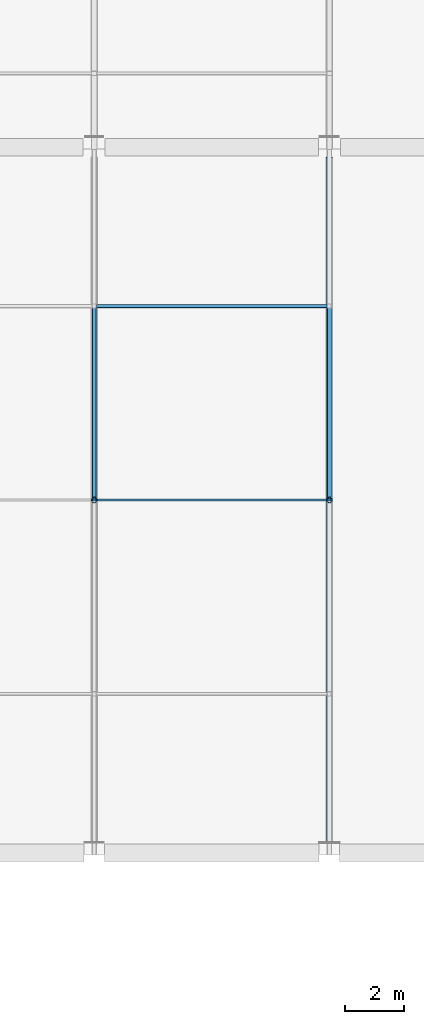
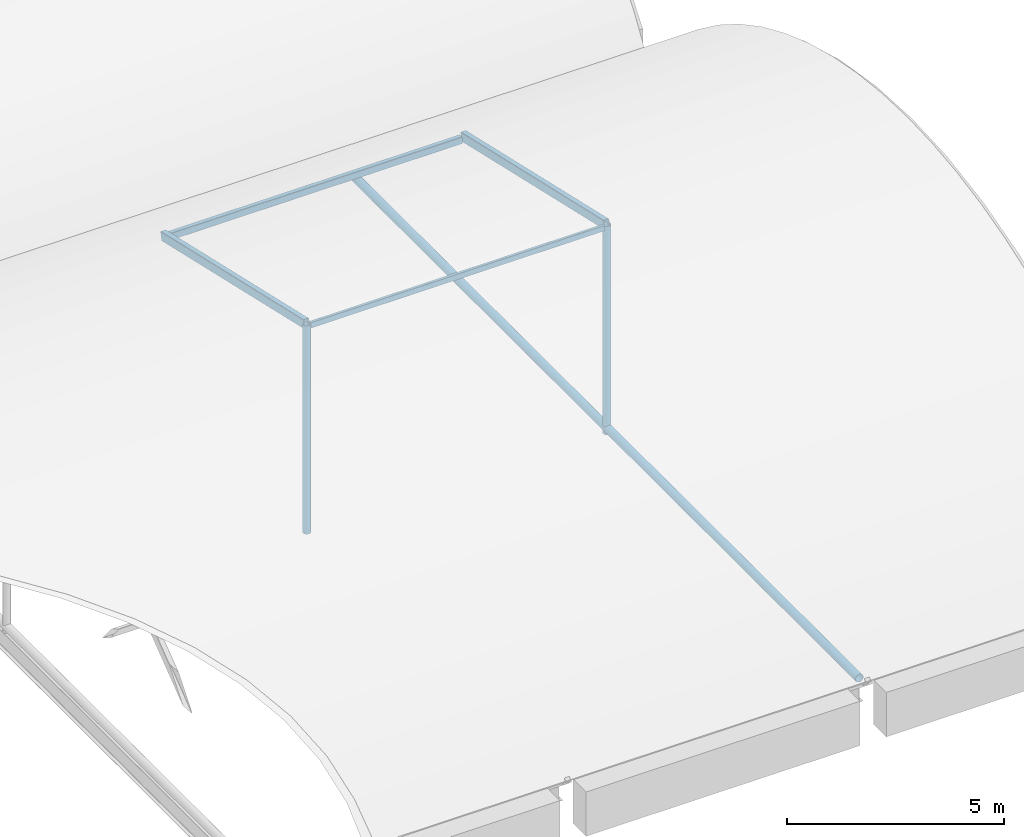
# One storey, part 34 of 57: 7 members.
"""IFC4 building model written with IfcOpenShell, lengths in metres."""

from ifc_helpers import new_model, si_unit, direction, frame, origin, origin_2d, place, context, subcontext, project, spatial, hollow_rectangle, hollow_circle, extrude, material, material_profile, profile_set, type_object, element, save


model = new_model("IFC4")

# Units and contexts
model_context = context("Model", 3, precision=1e-05, world=origin(), true_north=direction((0.0, 1.0)))
body_context = subcontext(model_context, "Body", "Model", "MODEL_VIEW")
ifc_project = project(units=[si_unit("LENGTHUNIT", "METRE"), si_unit("AREAUNIT", "SQUARE_METRE"), si_unit("VOLUMEUNIT", "CUBIC_METRE"), si_unit("PLANEANGLEUNIT", "RADIAN"), si_unit("MASSUNIT", "GRAM", prefix="KILO"), si_unit("THERMODYNAMICTEMPERATUREUNIT", "KELVIN"), si_unit("POWERUNIT", "WATT")], contexts=[model_context])

# Site, building, storey
site_placement = place(None, origin())
site = spatial("IfcSite", under=ifc_project, at=site_placement, CompositionType="ELEMENT")
building_placement = place(site_placement, origin())
building = spatial("IfcBuilding", under=site, at=building_placement, Name="Kronsvod Quay Wholesale Market", CompositionType="ELEMENT")
storey_placement = place(building_placement, frame((0.0, 0.0, 13.199951171875)))
storey = spatial("IfcBuildingStorey", under=building, at=storey_placement, Name="L03", CompositionType="ELEMENT", Elevation=13.199951171875)

# Members
ifc_material_1 = material(Name="Steel S355", Category="steel")
ifc_material_profile_1 = material_profile(ifc_material_1, hollow_rectangle(XDim=0.14990234375, YDim=0.25, WallThickness=0.010009765625, InnerFilletRadius=0.010009765625, OuterFilletRadius=0.02001953125, at=origin_2d()), Name="RHS250x150x10")
ifc_profile_set_1 = profile_set([ifc_material_profile_1], Name="Steel S355")
member_type_1 = type_object("IfcMemberType", Name="Member_Arch250x150", PredefinedType="RAFTER", material=ifc_profile_set_1)
for number, where, z_axis, x_axis, name in (
    (1, (176.0, 66.0, 5.64013671875), (0.0, 0.974763902227, -0.223238291777), (-1.0, 0.0, 0.0), "ARCG-SH-V2E-M-1760-2"),
    (2, (184.0, 66.0, 5.64013671875), (0.0, 0.974763902227, -0.223238291777), (-1.0, 0.0, 0.0), "ARCG-SH-V2E-M-1840-2"),
):
    element("IfcMember", number, at=place(storey_placement, frame(where, z_axis=z_axis, x_axis=x_axis)), inside=storey, type_object=member_type_1, Name=name, PredefinedType="RAFTER", context=body_context, shape_type="SweptSolid", body=[
        extrude(hollow_rectangle(XDim=0.14990234375, YDim=0.25, WallThickness=0.010009765625, InnerFilletRadius=0.010009765625, OuterFilletRadius=0.02001953125, at=origin_2d()), origin(), (0.0, 0.0, 1.0), 6.76513671875),
    ])
ifc_material_2 = material(Name="Steel S355", Category="steel")
ifc_material_profile_2 = material_profile(ifc_material_2, hollow_circle(Radius=0.096923828125, WallThickness=0.008056640625, at=origin_2d()), Name="CHS194x8")
ifc_profile_set_2 = profile_set([ifc_material_profile_2], Name="Steel S355")
member_type_2 = type_object("IfcMemberType", Name="Member_Brace194x8", PredefinedType="BRACE", material=ifc_profile_set_2)
for number, where, z_axis, x_axis, name in (
    (3, (176.0, 66.0, -0.22998046875), (0.0, 0.0, 1.0), (1.0, 0.0, 0.0), "KPST-SH-V2E-M-1760"),
    (4, (184.0, 66.0, -0.22998046875), (0.0, 0.0, 1.0), (1.0, 0.0, 0.0), "KPST-SH-V2E-M-1840"),
):
    element("IfcMember", number, at=place(storey_placement, frame(where, z_axis=z_axis, x_axis=x_axis)), inside=storey, type_object=member_type_2, Name=name, PredefinedType="BRACE", context=body_context, shape_type="SweptSolid", body=[
        extrude(hollow_circle(Radius=0.096923828125, WallThickness=0.008056640625, at=origin_2d()), origin(), (0.0, 0.0, 1.0), 5.8701171875),
    ])
ifc_material_3 = material(Name="Steel S355", Category="steel")
ifc_material_profile_3 = material_profile(ifc_material_3, hollow_circle(Radius=0.109619140625, WallThickness=0.010009765625, at=origin_2d()), Name="CHS219x10")
ifc_profile_set_3 = profile_set([ifc_material_profile_3], Name="Steel S355")
member_type_3 = type_object("IfcMemberType", Name="Member_Chord219x10", PredefinedType="CHORD", material=ifc_profile_set_3)
member_1_placement = place(storey_placement, frame((184.0, 54.340087890625, -0.079833984375), z_axis=(0.0, 1.0, 0.0), x_axis=(-1.0, 0.0, 0.0)))
element("IfcMember", 5, at=member_1_placement, inside=storey, type_object=member_type_3, Name="CHDG-SH-V2E-M-1840", PredefinedType="CHORD", context=body_context, shape_type="SweptSolid", body=[
    extrude(hollow_circle(Radius=0.109619140625, WallThickness=0.010009765625, at=origin_2d()), origin(), (0.0, 0.0, 1.0), 23.31982421875),
])
ifc_material_4 = material(Name="Steel S355", Category="steel")
ifc_material_profile_4 = material_profile(ifc_material_4, hollow_rectangle(XDim=0.1201171875, YDim=0.199951171875, WallThickness=0.008056640625, InnerFilletRadius=0.008056640625, OuterFilletRadius=0.01611328125, at=origin_2d()), Name="RHS200x120x8")
ifc_profile_set_4 = profile_set([ifc_material_profile_4], Name="Steel S355")
member_type_4 = type_object("IfcMemberType", Name="Member_Girt200x120", PredefinedType="PURLIN", material=ifc_profile_set_4)
member_2_placement = place(storey_placement, frame((176.080078125, 72.594482421875, 4.070068359375), z_axis=(1.0, 0.0, 0.0), x_axis=(0.0, 1.0, 0.0)))
element("IfcMember", 6, at=member_2_placement, inside=storey, type_object=member_type_4, Name="PRLG-SH-V2E-M-5-2", PredefinedType="PURLIN", context=body_context, shape_type="SweptSolid", body=[
    extrude(hollow_rectangle(XDim=0.1201171875, YDim=0.199951171875, WallThickness=0.008056640625, InnerFilletRadius=0.008056640625, OuterFilletRadius=0.01611328125, at=origin_2d()), origin(), (0.0, 0.0, 1.0), 7.83984375),
])
ifc_material_5 = material(Name="Steel S355", Category="steel")
ifc_material_profile_5 = material_profile(ifc_material_5, hollow_rectangle(XDim=0.080078125, YDim=0.159912109375, WallThickness=0.006103515625, InnerFilletRadius=0.006103515625, OuterFilletRadius=0.011962890625, at=origin_2d()), Name="RHS160x80x6")
ifc_profile_set_5 = profile_set([ifc_material_profile_5], Name="Steel S355")
member_type_5 = type_object("IfcMemberType", Name="Member_Purlin160x80", PredefinedType="PURLIN", material=ifc_profile_set_5)
member_3_placement = place(storey_placement, frame((176.080078125, 66.0, 5.580078125), z_axis=(1.0, 0.0, 0.0), x_axis=(0.0, 1.0, 0.0)))
element("IfcMember", 7, at=member_3_placement, inside=storey, type_object=member_type_5, Name="PRLG-SH-V2E-M-5-1", PredefinedType="PURLIN", context=body_context, shape_type="SweptSolid", body=[
    extrude(hollow_rectangle(XDim=0.080078125, YDim=0.159912109375, WallThickness=0.006103515625, InnerFilletRadius=0.006103515625, OuterFilletRadius=0.011962890625, at=origin_2d()), origin(), (0.0, 0.0, 1.0), 7.83984375),
])

save(model, "model.ifc")
